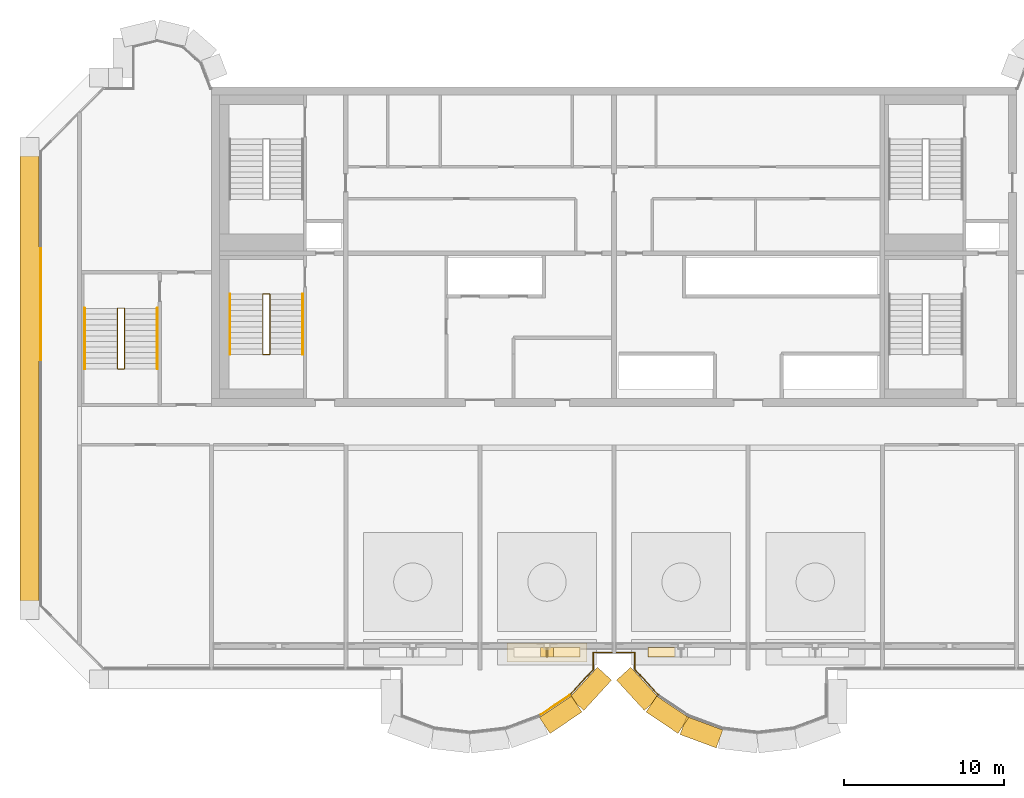
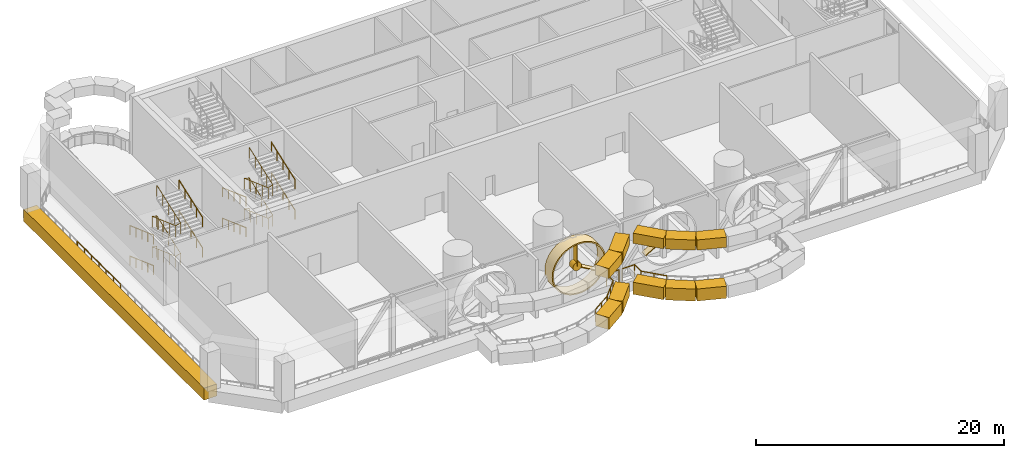
# One storey, part 9 of 15: 18 railings, 16 coverings.
"""IFC4 building model written with IfcOpenShell, lengths in metres."""

from ifc_helpers import new_model, si_unit, direction, frame, origin, origin_2d, place, context, subcontext, project, spatial, rectangle, circle, hollow_circle, extrude, source, transform, mapped, material, material_profile, profile_set, type_object, element, save


model = new_model("IFC4")

# Units and contexts
model_context = context("Model", 3, precision=1e-05, world=origin(), true_north=direction((0.0, 1.0)))
body_context = subcontext(model_context, "Body", "Model", "MODEL_VIEW")
ifc_project = project(units=[si_unit("LENGTHUNIT", "METRE"), si_unit("AREAUNIT", "SQUARE_METRE"), si_unit("VOLUMEUNIT", "CUBIC_METRE"), si_unit("PLANEANGLEUNIT", "RADIAN"), si_unit("MASSUNIT", "GRAM", prefix="KILO")], contexts=[model_context])

# Site, building, storey
site_placement = place(None, origin())
site = spatial("IfcSite", under=ifc_project, at=site_placement, CompositionType="ELEMENT")
building_placement = place(site_placement, origin())
building = spatial("IfcBuilding", under=site, at=building_placement, Name="Vanashikhar Sky Hotel", CompositionType="ELEMENT")
storey_placement = place(building_placement, frame((0.0, 0.0, 317.699951171875)))
storey = spatial("IfcBuildingStorey", under=building, at=storey_placement, Name="L76", CompositionType="ELEMENT", Elevation=317.699951171875)

# Coverings
ifc_material_1 = material(Name="Concrete M60 dark", Category="concrete")
covering_type_1 = type_object("IfcCoveringType", Name="Turbine slot portal frame", PredefinedType="CLADDING", material=ifc_material_1)
shared_shape_1 = source(origin(), body_context, "Body", "SweptSolid", [
    extrude(rectangle(XDim=2.413818359375, YDim=1.199951171875, at=origin_2d()), origin(), (0.0, 0.0, 1.0), 1.0),
])
for number, where, z_axis, x_axis, name in (
    (1, (47.06005859375, 2.694091796875, 4.719970703125), (0.0, 0.0, 1.0), (0.829603213612, 0.558353389857, 0.0), "Portal frame head"),
    (2, (53.739990234375, 2.694091796875, 4.719970703125), (0.0, 0.0, 1.0), (0.829603213612, -0.558353389857, 0.0), "Portal frame head"),
    (3, (55.872802734375, 1.6005859375, 4.719970703125), (0.0, 0.0, 1.0), (0.937531182424, -0.347901253208, 0.0), "Portal frame head"),
):
    element("IfcCovering", number, at=place(storey_placement, frame(where, z_axis=z_axis, x_axis=x_axis)), inside=storey, type_object=covering_type_1, Name=name, PredefinedType="CLADDING", context=body_context, shape_type="MappedRepresentation", body=[
        mapped(shared_shape_1, transform((0.0, 0.0, 0.0), scale=1.0)),
    ])
shared_shape_2 = source(origin(), body_context, "Body", "SweptSolid", [
    extrude(rectangle(XDim=2.413818359375, YDim=1.199951171875, at=origin_2d()), origin(), (0.0, 0.0, 1.0), 1.179931640625),
])
for number, where, z_axis, x_axis, name in (
    (4, (47.06005859375, 2.694091796875, -0.27978515625), (0.0, 0.0, 1.0), (0.829603213612, 0.558353389857, 0.0), "Portal frame sill"),
    (5, (53.739990234375, 2.694091796875, -0.27978515625), (0.0, 0.0, 1.0), (0.829603213612, -0.558353389857, 0.0), "Portal frame sill"),
    (6, (55.872802734375, 1.6005859375, -0.27978515625), (0.0, 0.0, 1.0), (0.937531182424, -0.347901253208, 0.0), "Portal frame sill"),
):
    element("IfcCovering", number, at=place(storey_placement, frame(where, z_axis=z_axis, x_axis=x_axis)), inside=storey, type_object=covering_type_1, Name=name, PredefinedType="CLADDING", context=body_context, shape_type="MappedRepresentation", body=[
        mapped(shared_shape_2, transform((0.0, 0.0, 0.0), scale=1.0)),
    ])
shared_shape_3 = source(origin(), body_context, "Body", "SweptSolid", [
    extrude(rectangle(XDim=2.574462890625, YDim=1.199951171875, at=origin_2d()), origin(), (0.0, 0.0, 1.0), 1.0),
])
for number, where, z_axis, x_axis, name in (
    (7, (48.9306640625, 4.3173828125, 4.719970703125), (0.0, 0.0, 1.0), (0.67534568005, 0.737501330465, 0.0), "Portal frame head"),
    (8, (51.869384765625, 4.3173828125, 4.719970703125), (0.0, 0.0, 1.0), (0.67534568005, -0.737501330465, 0.0), "Portal frame head"),
):
    element("IfcCovering", number, at=place(storey_placement, frame(where, z_axis=z_axis, x_axis=x_axis)), inside=storey, type_object=covering_type_1, Name=name, PredefinedType="CLADDING", context=body_context, shape_type="MappedRepresentation", body=[
        mapped(shared_shape_3, transform((0.0, 0.0, 0.0), scale=1.0)),
    ])
shared_shape_4 = source(origin(), body_context, "Body", "SweptSolid", [
    extrude(rectangle(XDim=2.574462890625, YDim=1.199951171875, at=origin_2d()), origin(), (0.0, 0.0, 1.0), 1.179931640625),
])
for number, where, z_axis, x_axis, name in (
    (9, (48.9306640625, 4.3173828125, -0.27978515625), (0.0, 0.0, 1.0), (0.67534568005, 0.737501330465, 0.0), "Portal frame sill"),
    (10, (51.869384765625, 4.3173828125, -0.27978515625), (0.0, 0.0, 1.0), (0.67534568005, -0.737501330465, 0.0), "Portal frame sill"),
):
    element("IfcCovering", number, at=place(storey_placement, frame(where, z_axis=z_axis, x_axis=x_axis)), inside=storey, type_object=covering_type_1, Name=name, PredefinedType="CLADDING", context=body_context, shape_type="MappedRepresentation", body=[
        mapped(shared_shape_4, transform((0.0, 0.0, 0.0), scale=1.0)),
    ])

# Railings
ifc_material_2 = material(Name="Stainless steel 316", Category="steel")
railing_type_1 = type_object("IfcRailingType", Name="Open edge guard 1200", PredefinedType="GUARDRAIL", material=ifc_material_2)
shared_shape_5 = source(origin(), body_context, "Body", "SweptSolid", [
    extrude(circle(Radius=0.02392578125, at=origin_2d()), frame((0.0, 0.0, 1.17578125), z_axis=(0.0, 1.0, 0.0), x_axis=(-1.0, 0.0, 0.0)), (0.0, 0.0, 1.0), 2.324462890625),
    extrude(circle(Radius=0.02099609375, at=origin_2d()), origin(), (0.0, 0.0, 1.0), 1.15185546875),
    extrude(circle(Radius=0.02099609375, at=origin_2d()), frame((0.0, 1.162109375, 0.0)), (0.0, 0.0, 1.0), 1.15185546875),
    extrude(circle(Radius=0.02099609375, at=origin_2d()), frame((0.0, 2.324462890625, 0.0)), (0.0, 0.0, 1.0), 1.15185546875),
])
for number, where, name in (
    (11, (14.5, 24.912109375, 0.0), "Open edge guard"),
    (12, (14.5, 27.236572265625, 0.0), "Open edge guard"),
    (13, (14.5, 29.56103515625, 0.0), "Open edge guard"),
):
    element("IfcRailing", number, at=place(storey_placement, frame(where)), inside=storey, type_object=railing_type_1, Name=name, PredefinedType="GUARDRAIL", context=body_context, shape_type="MappedRepresentation", body=[
        mapped(shared_shape_5, transform((0.0, 0.0, 0.0), scale=1.0)),
    ])

# Covering
shared_shape_6 = source(origin(), body_context, "Body", "SweptSolid", [
    extrude(rectangle(XDim=28.9970703125, YDim=1.199951171875, at=origin_2d()), origin(), (0.0, 0.0, 1.0), 1.179931640625),
])
covering_1_placement = place(storey_placement, frame((13.800048828125, 23.75, -0.27978515625), z_axis=(0.0, 0.0, 1.0), x_axis=(0.0, -1.0, 0.0)))
element("IfcCovering", 14, at=covering_1_placement, inside=storey, type_object=covering_type_1, Name="Portal frame sill", PredefinedType="CLADDING", context=body_context, shape_type="MappedRepresentation", body=[
    mapped(shared_shape_6, transform((0.0, 0.0, 0.0), scale=1.0)),
])

# Railings
shared_shape_7 = source(origin(), body_context, "Body", "SweptSolid", [
    extrude(circle(Radius=0.02392578125, at=origin_2d()), frame((0.0, 0.0, 1.17578125), z_axis=(-1.0, 0.0, 0.0), x_axis=(0.0, -1.0, 0.0)), (0.0, 0.0, 1.0), 1.15478515625),
    extrude(circle(Radius=0.02392578125, at=origin_2d()), frame((-1.15478515625, 0.0, 1.17578125), z_axis=(0.0, -1.0, 0.0), x_axis=(1.0, 0.0, 0.0)), (0.0, 0.0, 1.0), 1.04052734375),
    extrude(circle(Radius=0.02099609375, at=origin_2d()), origin(), (0.0, 0.0, 1.0), 1.15185546875),
    extrude(circle(Radius=0.02099609375, at=origin_2d()), frame((-1.15478515625, 0.0, 0.0)), (0.0, 0.0, 1.0), 1.15185546875),
    extrude(circle(Radius=0.02099609375, at=origin_2d()), frame((-1.15478515625, -1.04052734375, 0.0)), (0.0, 0.0, 1.0), 1.15185546875),
])
railing_1_placement = place(storey_placement, frame((50.2548828125, 6.60009765625, 0.0)))
element("IfcRailing", 15, at=railing_1_placement, inside=storey, type_object=railing_type_1, Name="Open edge guard", PredefinedType="GUARDRAIL", context=body_context, shape_type="MappedRepresentation", body=[
    mapped(shared_shape_7, transform((0.0, 0.0, 0.0), scale=1.0)),
])
shared_shape_8 = source(origin(), body_context, "Body", "SweptSolid", [
    extrude(circle(Radius=0.02392578125, at=origin_2d()), frame((0.0, 0.0, 1.17578125), z_axis=(0.0, -1.0, 0.0), x_axis=(1.0, 0.0, 0.0)), (0.0, 0.0, 1.0), 0.020751953125),
    extrude(circle(Radius=0.02392578125, at=origin_2d()), frame((0.0, -0.020751953125, 1.17578125), z_axis=(-0.675389088817, -0.737461577784, 0.0), x_axis=(0.737461577784, -0.675389088817, 0.0)), (0.0, 0.0, 1.0), 2.175048828125),
    extrude(circle(Radius=0.02099609375, at=origin_2d()), origin(), (0.0, 0.0, 1.0), 1.15185546875),
    extrude(circle(Radius=0.02099609375, at=origin_2d()), frame((0.0, -0.020751953125, 0.0)), (0.0, 0.0, 1.0), 1.15185546875),
    extrude(circle(Radius=0.02099609375, at=origin_2d()), frame((-0.734375, -0.82275390625, 0.0)), (0.0, 0.0, 1.0), 1.15185546875),
    extrude(circle(Radius=0.02099609375, at=origin_2d()), frame((-1.468994140625, -1.624755859375, 0.0)), (0.0, 0.0, 1.0), 1.15185546875),
])
railing_2_placement = place(storey_placement, frame((49.10009765625, 5.5595703125, 0.0)))
element("IfcRailing", 16, at=railing_2_placement, inside=storey, type_object=railing_type_1, Name="Open edge guard", PredefinedType="GUARDRAIL", context=body_context, shape_type="MappedRepresentation", body=[
    mapped(shared_shape_8, transform((0.0, 0.0, 0.0), scale=1.0)),
])
shared_shape_9 = source(origin(), body_context, "Body", "SweptSolid", [
    extrude(circle(Radius=0.02392578125, at=origin_2d()), frame((0.0, 0.0, 1.17578125), z_axis=(-0.675975492745, -0.736924102746, 0.0), x_axis=(0.736924102746, -0.675975492745, 0.0)), (0.0, 0.0, 1.0), 0.0439453125),
    extrude(circle(Radius=0.02392578125, at=origin_2d()), frame((-0.02978515625, -0.032470703125, 1.17578125), z_axis=(-0.829633234023, -0.558308782847, 0.0), x_axis=(0.558308782847, -0.829633234023, 0.0)), (0.0, 0.0, 1.0), 2.1513671875),
    extrude(circle(Radius=0.02099609375, at=origin_2d()), origin(), (0.0, 0.0, 1.0), 1.15185546875),
    extrude(circle(Radius=0.02099609375, at=origin_2d()), frame((-0.02978515625, -0.032470703125, 0.0)), (0.0, 0.0, 1.0), 1.15185546875),
    extrude(circle(Radius=0.02099609375, at=origin_2d()), frame((-0.92236328125, -0.633056640625, 0.0)), (0.0, 0.0, 1.0), 1.15185546875),
    extrude(circle(Radius=0.02099609375, at=origin_2d()), frame((-1.814697265625, -1.233642578125, 0.0)), (0.0, 0.0, 1.0), 1.15185546875),
])
railing_3_placement = place(storey_placement, frame((47.631103515625, 3.934814453125, 0.0)))
element("IfcRailing", 17, at=railing_3_placement, inside=storey, type_object=railing_type_1, Name="Open edge guard", PredefinedType="GUARDRAIL", context=body_context, shape_type="MappedRepresentation", body=[
    mapped(shared_shape_9, transform((0.0, 0.0, 0.0), scale=1.0)),
])
shared_shape_10 = source(origin(), body_context, "Body", "SweptSolid", [
    extrude(circle(Radius=0.02392578125, at=origin_2d()), frame((0.0, 0.0, 1.17578125), z_axis=(-0.675389088817, 0.737461577784, 0.0), x_axis=(-0.737461577784, -0.675389088817, 0.0)), (0.0, 0.0, 1.0), 2.175048828125),
    extrude(circle(Radius=0.02392578125, at=origin_2d()), frame((-1.468994140625, 1.60400390625, 1.17578125), z_axis=(0.0, 1.0, 0.0), x_axis=(-1.0, 0.0, 0.0)), (0.0, 0.0, 1.0), 0.020751953125),
    extrude(circle(Radius=0.02099609375, at=origin_2d()), origin(), (0.0, 0.0, 1.0), 1.15185546875),
    extrude(circle(Radius=0.02099609375, at=origin_2d()), frame((-0.734375, 0.802001953125, 0.0)), (0.0, 0.0, 1.0), 1.15185546875),
    extrude(circle(Radius=0.02099609375, at=origin_2d()), frame((-1.468994140625, 1.60400390625, 0.0)), (0.0, 0.0, 1.0), 1.15185546875),
    extrude(circle(Radius=0.02099609375, at=origin_2d()), frame((-1.468994140625, 1.624755859375, 0.0)), (0.0, 0.0, 1.0), 1.15185546875),
])
railing_4_placement = place(storey_placement, frame((53.1689453125, 3.934814453125, 0.0)))
element("IfcRailing", 18, at=railing_4_placement, inside=storey, type_object=railing_type_1, Name="Open edge guard", PredefinedType="GUARDRAIL", context=body_context, shape_type="MappedRepresentation", body=[
    mapped(shared_shape_10, transform((0.0, 0.0, 0.0), scale=1.0)),
])
shared_shape_11 = source(origin(), body_context, "Body", "SweptSolid", [
    extrude(circle(Radius=0.02392578125, at=origin_2d()), frame((0.0, 0.0, 1.17578125), z_axis=(0.0, 1.0, 0.0), x_axis=(-1.0, 0.0, 0.0)), (0.0, 0.0, 1.0), 1.04052734375),
    extrude(circle(Radius=0.02392578125, at=origin_2d()), frame((0.0, 1.04052734375, 1.17578125), z_axis=(-1.0, 0.0, 0.0), x_axis=(0.0, -1.0, 0.0)), (0.0, 0.0, 1.0), 1.155029296875),
    extrude(circle(Radius=0.02099609375, at=origin_2d()), origin(), (0.0, 0.0, 1.0), 1.15185546875),
    extrude(circle(Radius=0.02099609375, at=origin_2d()), frame((0.0, 1.04052734375, 0.0)), (0.0, 0.0, 1.0), 1.15185546875),
    extrude(circle(Radius=0.02099609375, at=origin_2d()), frame((-1.155029296875, 1.04052734375, 0.0)), (0.0, 0.0, 1.0), 1.15185546875),
])
railing_5_placement = place(storey_placement, frame((51.699951171875, 5.5595703125, 0.0)))
element("IfcRailing", 19, at=railing_5_placement, inside=storey, type_object=railing_type_1, Name="Open edge guard", PredefinedType="GUARDRAIL", context=body_context, shape_type="MappedRepresentation", body=[
    mapped(shared_shape_11, transform((0.0, 0.0, 0.0), scale=1.0)),
])

# Coverings
ifc_material_3 = material(Name="Aluminium 6063-T6", Category="aluminium")
ifc_material_profile_1 = material_profile(ifc_material_3, hollow_circle(Radius=2.5, WallThickness=0.1201171875, at=origin_2d()))
ifc_profile_set_1 = profile_set([ifc_material_profile_1], Name="Turbine shroud 5000")
covering_type_2 = type_object("IfcCoveringType", Name="Turbine shroud 5000", PredefinedType="CLADDING", material=ifc_profile_set_1)
shared_shape_12 = source(origin(), body_context, "Body", "SweptSolid", [
    extrude(hollow_circle(Radius=2.5, WallThickness=0.1201171875, at=origin_2d()), origin(), (0.0, 0.0, 1.0), 1.199951171875),
])
covering_2_placement = place(storey_placement, frame((46.199951171875, 6.0, 3.10009765625), z_axis=(0.0, 1.0, 0.0), x_axis=(-1.0, 0.0, 0.0)))
element("IfcCovering", 20, at=covering_2_placement, inside=storey, type_object=covering_type_2, Name="Turbine shroud 2", PredefinedType="CLADDING", context=body_context, shape_type="MappedRepresentation", body=[
    mapped(shared_shape_12, transform((0.0, 0.0, 0.0), scale=1.0)),
])
ifc_material_profile_2 = material_profile(ifc_material_3, circle(Radius=0.39990234375, at=origin_2d()))
ifc_profile_set_2 = profile_set([ifc_material_profile_2], Name="Turbine hub")
covering_type_3 = type_object("IfcCoveringType", Name="Turbine hub", PredefinedType="CLADDING", material=ifc_profile_set_2)
shared_shape_13 = source(origin(), body_context, "Body", "SweptSolid", [
    extrude(circle(Radius=0.39990234375, at=origin_2d()), origin(), (0.0, 0.0, 1.0), 0.599853515625),
])
covering_3_placement = place(storey_placement, frame((46.199951171875, 6.300048828125, 3.10009765625), z_axis=(0.0, 1.0, 0.0), x_axis=(-1.0, 0.0, 0.0)))
element("IfcCovering", 21, at=covering_3_placement, inside=storey, type_object=covering_type_3, Name="Turbine hub 2", PredefinedType="CLADDING", context=body_context, shape_type="MappedRepresentation", body=[
    mapped(shared_shape_13, transform((0.0, 0.0, 0.0), scale=1.0)),
])
ifc_material_profile_3 = material_profile(ifc_material_3, rectangle(XDim=0.60009765625, YDim=0.080078125, at=origin_2d()))
ifc_profile_set_3 = profile_set([ifc_material_profile_3], Name="Turbine rotor blade")
covering_type_4 = type_object("IfcCoveringType", Name="Turbine rotor blade", PredefinedType="CLADDING", material=ifc_profile_set_3)
shared_shape_14 = source(origin(), body_context, "Body", "SweptSolid", [
    extrude(rectangle(XDim=0.60009765625, YDim=0.080078125, at=origin_2d()), origin(), (0.0, 0.0, 1.0), 2.3798828125),
])
covering_4_placement = place(storey_placement, frame((46.199951171875, 6.60009765625, 3.10009765625), z_axis=(0.0, 0.0, 1.0), x_axis=(0.0, 1.0, 0.0)))
element("IfcCovering", 22, at=covering_4_placement, inside=storey, type_object=covering_type_4, Name="Turbine rotor blade 2.1", PredefinedType="CLADDING", context=body_context, shape_type="MappedRepresentation", body=[
    mapped(shared_shape_14, transform((0.0, 0.0, 0.0), scale=1.0)),
])
shared_shape_15 = source(origin(), body_context, "Body", "SweptSolid", [
    extrude(rectangle(XDim=0.60009765625, YDim=0.080078125, at=origin_2d()), origin(), (0.0, 0.0, 1.0), 2.3798828125),
])
covering_5_placement = place(storey_placement, frame((46.199951171875, 6.60009765625, 3.10009765625), z_axis=(0.866025002776, 0.0, -0.500000694566), x_axis=(0.0, 1.0, 0.0)))
element("IfcCovering", 23, at=covering_5_placement, inside=storey, type_object=covering_type_4, Name="Turbine rotor blade 2.3", PredefinedType="CLADDING", context=body_context, shape_type="MappedRepresentation", body=[
    mapped(shared_shape_15, transform((0.0, 0.0, 0.0), scale=1.0)),
])
shared_shape_16 = source(origin(), body_context, "Body", "SweptSolid", [
    extrude(rectangle(XDim=0.60009765625, YDim=0.080078125, at=origin_2d()), origin(), (0.0, 0.0, 1.0), 2.380126953125),
])
covering_6_placement = place(storey_placement, frame((54.60009765625, 6.60009765625, 3.10009765625), z_axis=(-0.866050645752, 0.0, -0.499956277081), x_axis=(0.0, -1.0, 0.0)))
element("IfcCovering", 24, at=covering_6_placement, inside=storey, type_object=covering_type_4, Name="Turbine rotor blade 3.2", PredefinedType="CLADDING", context=body_context, shape_type="MappedRepresentation", body=[
    mapped(shared_shape_16, transform((0.0, 0.0, 0.0), scale=1.0)),
])

# Railings
ifc_material_4 = material(Name="Steel S355", Category="steel")
railing_type_2 = type_object("IfcRailingType", Name="Stair handrail 900", PredefinedType="HANDRAIL", material=ifc_material_4)
shared_shape_17 = source(origin(), body_context, "Body", "SweptSolid", [
    extrude(circle(Radius=0.02392578125, at=origin_2d()), frame((0.0, 0.0, 0.8759765625), z_axis=(0.0, 0.940335516113, 0.340248610777), x_axis=(-1.0, 0.0, 0.0)), (0.0, 0.0, 1.0), 4.041259765625),
    extrude(circle(Radius=0.02099609375, at=origin_2d()), origin(), (0.0, 0.0, 1.0), 0.851806640625),
    extrude(circle(Radius=0.02099609375, at=origin_2d()), frame((0.0, 0.949951171875, 0.34375)), (0.0, 0.0, 1.0), 0.851806640625),
    extrude(circle(Radius=0.02099609375, at=origin_2d()), frame((0.0, 1.89990234375, 0.6875)), (0.0, 0.0, 1.0), 0.851806640625),
    extrude(circle(Radius=0.02099609375, at=origin_2d()), frame((0.0, 2.85009765625, 1.03125)), (0.0, 0.0, 1.0), 0.851806640625),
    extrude(circle(Radius=0.02099609375, at=origin_2d()), frame((0.0, 3.800048828125, 1.375)), (0.0, 0.0, 1.0), 0.851806640625),
])
for number, where, name in (
    (25, (30.89990234375, 25.25, 1.625), "Exit stair 1 handrail"),
    (26, (30.89990234375, 25.25, 4.625), "Exit stair 1 handrail"),
):
    element("IfcRailing", number, at=place(storey_placement, frame(where)), inside=storey, type_object=railing_type_2, Name=name, PredefinedType="HANDRAIL", context=body_context, shape_type="MappedRepresentation", body=[
        mapped(shared_shape_17, transform((0.0, 0.0, 0.0), scale=1.0)),
    ])
shared_shape_18 = source(origin(), body_context, "Body", "SweptSolid", [
    extrude(circle(Radius=0.02392578125, at=origin_2d()), frame((0.0, 0.0, 0.8759765625), z_axis=(0.0, -0.940335516113, 0.340248610777), x_axis=(1.0, 0.0, 0.0)), (0.0, 0.0, 1.0), 4.041259765625),
    extrude(circle(Radius=0.02099609375, at=origin_2d()), origin(), (0.0, 0.0, 1.0), 0.851806640625),
    extrude(circle(Radius=0.02099609375, at=origin_2d()), frame((0.0, -0.949951171875, 0.34375)), (0.0, 0.0, 1.0), 0.851806640625),
    extrude(circle(Radius=0.02099609375, at=origin_2d()), frame((0.0, -1.89990234375, 0.6875)), (0.0, 0.0, 1.0), 0.851806640625),
    extrude(circle(Radius=0.02099609375, at=origin_2d()), frame((0.0, -2.85009765625, 1.03125)), (0.0, 0.0, 1.0), 0.851806640625),
    extrude(circle(Radius=0.02099609375, at=origin_2d()), frame((0.0, -3.800048828125, 1.375)), (0.0, 0.0, 1.0), 0.851806640625),
])
for number, where, name in (
    (27, (26.35009765625, 29.050048828125, 0.125), "Exit stair 1 handrail"),
    (28, (26.35009765625, 29.050048828125, 3.125), "Exit stair 1 handrail"),
):
    element("IfcRailing", number, at=place(storey_placement, frame(where)), inside=storey, type_object=railing_type_2, Name=name, PredefinedType="HANDRAIL", context=body_context, shape_type="MappedRepresentation", body=[
        mapped(shared_shape_18, transform((0.0, 0.0, 0.0), scale=1.0)),
    ])
railing_type_3 = type_object("IfcRailingType", Name="Stair guard 1100", PredefinedType="GUARDRAIL", material=ifc_material_4)
shared_shape_19 = source(origin(), body_context, "Body", "SweptSolid", [
    extrude(circle(Radius=0.02392578125, at=origin_2d()), frame((0.0, 0.0, 1.076171875), z_axis=(-0.963547848091, 0.0, 0.267536061943), x_axis=(0.0, -1.0, 0.0)), (0.0, 0.0, 1.0), 0.46728515625),
    extrude(circle(Radius=0.02392578125, at=origin_2d()), frame((-0.4501953125, 0.0, 1.201171875), z_axis=(0.0, -0.940335516113, 0.340248610777), x_axis=(1.0, 0.0, 0.0)), (0.0, 0.0, 1.0), 4.041259765625),
    extrude(circle(Radius=0.02392578125, at=origin_2d()), frame((-0.4501953125, -3.800048828125, 2.576171875), z_axis=(0.963547848091, 0.0, 0.267536061943), x_axis=(0.0, 1.0, 0.0)), (0.0, 0.0, 1.0), 0.46728515625),
    extrude(circle(Radius=0.02392578125, at=origin_2d()), frame((0.0, -3.800048828125, 2.701171875), z_axis=(0.0, 0.940335516113, 0.340248610777), x_axis=(-1.0, 0.0, 0.0)), (0.0, 0.0, 1.0), 4.041259765625),
    extrude(circle(Radius=0.02392578125, at=origin_2d()), frame((0.0, 0.0, 4.076171875), z_axis=(-0.963547848091, 0.0, 0.267536061943), x_axis=(0.0, -1.0, 0.0)), (0.0, 0.0, 1.0), 0.46728515625),
    extrude(circle(Radius=0.02392578125, at=origin_2d()), frame((-0.4501953125, 0.0, 4.201171875), z_axis=(0.0, -0.940335516113, 0.340248610777), x_axis=(1.0, 0.0, 0.0)), (0.0, 0.0, 1.0), 4.041259765625),
    extrude(circle(Radius=0.02392578125, at=origin_2d()), frame((-0.4501953125, -3.800048828125, 5.576171875), z_axis=(0.963547848091, 0.0, 0.267536061943), x_axis=(0.0, 1.0, 0.0)), (0.0, 0.0, 1.0), 0.46728515625),
    extrude(circle(Radius=0.02392578125, at=origin_2d()), frame((0.0, -3.800048828125, 5.701171875), z_axis=(0.0, 0.940335516113, 0.340248610777), x_axis=(-1.0, 0.0, 0.0)), (0.0, 0.0, 1.0), 4.041259765625),
    extrude(circle(Radius=0.02099609375, at=origin_2d()), origin(), (0.0, 0.0, 1.0), 1.052001953125),
    extrude(circle(Radius=0.02099609375, at=origin_2d()), frame((-0.4501953125, 0.0, 0.125)), (0.0, 0.0, 1.0), 1.052001953125),
    extrude(circle(Radius=0.02099609375, at=origin_2d()), frame((-0.4501953125, -0.949951171875, 0.46875)), (0.0, 0.0, 1.0), 1.052001953125),
    extrude(circle(Radius=0.02099609375, at=origin_2d()), frame((-0.4501953125, -1.89990234375, 0.8125)), (0.0, 0.0, 1.0), 1.052001953125),
    extrude(circle(Radius=0.02099609375, at=origin_2d()), frame((-0.4501953125, -2.85009765625, 1.15625)), (0.0, 0.0, 1.0), 1.052001953125),
    extrude(circle(Radius=0.02099609375, at=origin_2d()), frame((-0.4501953125, -3.800048828125, 1.5)), (0.0, 0.0, 1.0), 1.052001953125),
    extrude(circle(Radius=0.02099609375, at=origin_2d()), frame((0.0, -3.800048828125, 1.625)), (0.0, 0.0, 1.0), 1.052001953125),
    extrude(circle(Radius=0.02099609375, at=origin_2d()), frame((0.0, -2.85009765625, 1.96875)), (0.0, 0.0, 1.0), 1.052001953125),
    extrude(circle(Radius=0.02099609375, at=origin_2d()), frame((0.0, -1.89990234375, 2.3125)), (0.0, 0.0, 1.0), 1.052001953125),
    extrude(circle(Radius=0.02099609375, at=origin_2d()), frame((0.0, -0.949951171875, 2.65625)), (0.0, 0.0, 1.0), 1.052001953125),
    extrude(circle(Radius=0.02099609375, at=origin_2d()), frame((0.0, 0.0, 3.0)), (0.0, 0.0, 1.0), 1.052001953125),
    extrude(circle(Radius=0.02099609375, at=origin_2d()), frame((-0.4501953125, 0.0, 3.125)), (0.0, 0.0, 1.0), 1.052001953125),
    extrude(circle(Radius=0.02099609375, at=origin_2d()), frame((-0.4501953125, -0.949951171875, 3.46875)), (0.0, 0.0, 1.0), 1.052001953125),
    extrude(circle(Radius=0.02099609375, at=origin_2d()), frame((-0.4501953125, -1.89990234375, 3.8125)), (0.0, 0.0, 1.0), 1.052001953125),
    extrude(circle(Radius=0.02099609375, at=origin_2d()), frame((-0.4501953125, -2.85009765625, 4.15625)), (0.0, 0.0, 1.0), 1.052001953125),
    extrude(circle(Radius=0.02099609375, at=origin_2d()), frame((-0.4501953125, -3.800048828125, 4.5)), (0.0, 0.0, 1.0), 1.052001953125),
    extrude(circle(Radius=0.02099609375, at=origin_2d()), frame((0.0, -3.800048828125, 4.625)), (0.0, 0.0, 1.0), 1.052001953125),
    extrude(circle(Radius=0.02099609375, at=origin_2d()), frame((0.0, -2.85009765625, 4.96875)), (0.0, 0.0, 1.0), 1.052001953125),
    extrude(circle(Radius=0.02099609375, at=origin_2d()), frame((0.0, -1.89990234375, 5.3125)), (0.0, 0.0, 1.0), 1.052001953125),
    extrude(circle(Radius=0.02099609375, at=origin_2d()), frame((0.0, -0.949951171875, 5.65625)), (0.0, 0.0, 1.0), 1.052001953125),
    extrude(circle(Radius=0.02099609375, at=origin_2d()), frame((0.0, 0.0, 6.0)), (0.0, 0.0, 1.0), 1.052001953125),
])
railing_6_placement = place(storey_placement, frame((28.85009765625, 29.050048828125, 0.0)))
element("IfcRailing", 29, at=railing_6_placement, inside=storey, type_object=railing_type_3, Name="Exit stair 1 guard", PredefinedType="GUARDRAIL", context=body_context, shape_type="MappedRepresentation", body=[
    mapped(shared_shape_19, transform((0.0, 0.0, 0.0), scale=1.0)),
])
shared_shape_20 = source(origin(), body_context, "Body", "SweptSolid", [
    extrude(circle(Radius=0.02392578125, at=origin_2d()), frame((0.0, 0.0, 0.8759765625), z_axis=(0.0, 0.940328521504, 0.340267940961), x_axis=(-1.0, 0.0, 0.0)), (0.0, 0.0, 1.0), 4.041015625),
    extrude(circle(Radius=0.02099609375, at=origin_2d()), origin(), (0.0, 0.0, 1.0), 0.851806640625),
    extrude(circle(Radius=0.02099609375, at=origin_2d()), frame((0.0, 0.949951171875, 0.34375)), (0.0, 0.0, 1.0), 0.851806640625),
    extrude(circle(Radius=0.02099609375, at=origin_2d()), frame((0.0, 1.89990234375, 0.6875)), (0.0, 0.0, 1.0), 0.851806640625),
    extrude(circle(Radius=0.02099609375, at=origin_2d()), frame((0.0, 2.849853515625, 1.03125)), (0.0, 0.0, 1.0), 0.851806640625),
    extrude(circle(Radius=0.02099609375, at=origin_2d()), frame((0.0, 3.7998046875, 1.375)), (0.0, 0.0, 1.0), 0.851806640625),
])
for number, where, name in (
    (30, (21.800048828125, 24.35009765625, 1.625), "Exit stair 3 handrail"),
    (31, (21.800048828125, 24.35009765625, 4.625), "Exit stair 3 handrail"),
):
    element("IfcRailing", number, at=place(storey_placement, frame(where)), inside=storey, type_object=railing_type_2, Name=name, PredefinedType="HANDRAIL", context=body_context, shape_type="MappedRepresentation", body=[
        mapped(shared_shape_20, transform((0.0, 0.0, 0.0), scale=1.0)),
    ])
shared_shape_21 = source(origin(), body_context, "Body", "SweptSolid", [
    extrude(circle(Radius=0.02392578125, at=origin_2d()), frame((0.0, 0.0, 0.8759765625), z_axis=(0.0, -0.940328521504, 0.340267940961), x_axis=(1.0, 0.0, 0.0)), (0.0, 0.0, 1.0), 4.041015625),
    extrude(circle(Radius=0.02099609375, at=origin_2d()), origin(), (0.0, 0.0, 1.0), 0.851806640625),
    extrude(circle(Radius=0.02099609375, at=origin_2d()), frame((0.0, -0.949951171875, 0.34375)), (0.0, 0.0, 1.0), 0.851806640625),
    extrude(circle(Radius=0.02099609375, at=origin_2d()), frame((0.0, -1.89990234375, 0.6875)), (0.0, 0.0, 1.0), 0.851806640625),
    extrude(circle(Radius=0.02099609375, at=origin_2d()), frame((0.0, -2.849853515625, 1.03125)), (0.0, 0.0, 1.0), 0.851806640625),
    extrude(circle(Radius=0.02099609375, at=origin_2d()), frame((0.0, -3.7998046875, 1.375)), (0.0, 0.0, 1.0), 0.851806640625),
])
for number, where, name in (
    (32, (17.25, 28.14990234375, 0.125), "Exit stair 3 handrail"),
    (33, (17.25, 28.14990234375, 3.125), "Exit stair 3 handrail"),
):
    element("IfcRailing", number, at=place(storey_placement, frame(where)), inside=storey, type_object=railing_type_2, Name=name, PredefinedType="HANDRAIL", context=body_context, shape_type="MappedRepresentation", body=[
        mapped(shared_shape_21, transform((0.0, 0.0, 0.0), scale=1.0)),
    ])
shared_shape_22 = source(origin(), body_context, "Body", "SweptSolid", [
    extrude(circle(Radius=0.02392578125, at=origin_2d()), frame((0.0, 0.0, 1.076171875), z_axis=(-0.963510419359, 0.0, 0.267670827299), x_axis=(0.0, -1.0, 0.0)), (0.0, 0.0, 1.0), 0.467041015625),
    extrude(circle(Radius=0.02392578125, at=origin_2d()), frame((-0.449951171875, 0.0, 1.201171875), z_axis=(0.0, -0.940328521504, 0.340267940961), x_axis=(1.0, 0.0, 0.0)), (0.0, 0.0, 1.0), 4.041015625),
    extrude(circle(Radius=0.02392578125, at=origin_2d()), frame((-0.449951171875, -3.7998046875, 2.576171875), z_axis=(0.963510419359, 0.0, 0.267670827299), x_axis=(0.0, 1.0, 0.0)), (0.0, 0.0, 1.0), 0.467041015625),
    extrude(circle(Radius=0.02392578125, at=origin_2d()), frame((0.0, -3.7998046875, 2.701171875), z_axis=(0.0, 0.940328521504, 0.340267940961), x_axis=(-1.0, 0.0, 0.0)), (0.0, 0.0, 1.0), 4.041015625),
    extrude(circle(Radius=0.02392578125, at=origin_2d()), frame((0.0, 0.0, 4.076171875), z_axis=(-0.963510419359, 0.0, 0.267670827299), x_axis=(0.0, -1.0, 0.0)), (0.0, 0.0, 1.0), 0.467041015625),
    extrude(circle(Radius=0.02392578125, at=origin_2d()), frame((-0.449951171875, 0.0, 4.201171875), z_axis=(0.0, -0.940328521504, 0.340267940961), x_axis=(1.0, 0.0, 0.0)), (0.0, 0.0, 1.0), 4.041015625),
    extrude(circle(Radius=0.02392578125, at=origin_2d()), frame((-0.449951171875, -3.7998046875, 5.576171875), z_axis=(0.963510419359, 0.0, 0.267670827299), x_axis=(0.0, 1.0, 0.0)), (0.0, 0.0, 1.0), 0.467041015625),
    extrude(circle(Radius=0.02392578125, at=origin_2d()), frame((0.0, -3.7998046875, 5.701171875), z_axis=(0.0, 0.940328521504, 0.340267940961), x_axis=(-1.0, 0.0, 0.0)), (0.0, 0.0, 1.0), 4.041015625),
    extrude(circle(Radius=0.02099609375, at=origin_2d()), origin(), (0.0, 0.0, 1.0), 1.052001953125),
    extrude(circle(Radius=0.02099609375, at=origin_2d()), frame((-0.449951171875, 0.0, 0.125)), (0.0, 0.0, 1.0), 1.052001953125),
    extrude(circle(Radius=0.02099609375, at=origin_2d()), frame((-0.449951171875, -0.949951171875, 0.46875)), (0.0, 0.0, 1.0), 1.052001953125),
    extrude(circle(Radius=0.02099609375, at=origin_2d()), frame((-0.449951171875, -1.89990234375, 0.8125)), (0.0, 0.0, 1.0), 1.052001953125),
    extrude(circle(Radius=0.02099609375, at=origin_2d()), frame((-0.449951171875, -2.849853515625, 1.15625)), (0.0, 0.0, 1.0), 1.052001953125),
    extrude(circle(Radius=0.02099609375, at=origin_2d()), frame((-0.449951171875, -3.7998046875, 1.5)), (0.0, 0.0, 1.0), 1.052001953125),
    extrude(circle(Radius=0.02099609375, at=origin_2d()), frame((0.0, -3.7998046875, 1.625)), (0.0, 0.0, 1.0), 1.052001953125),
    extrude(circle(Radius=0.02099609375, at=origin_2d()), frame((0.0, -2.849853515625, 1.96875)), (0.0, 0.0, 1.0), 1.052001953125),
    extrude(circle(Radius=0.02099609375, at=origin_2d()), frame((0.0, -1.89990234375, 2.3125)), (0.0, 0.0, 1.0), 1.052001953125),
    extrude(circle(Radius=0.02099609375, at=origin_2d()), frame((0.0, -0.949951171875, 2.65625)), (0.0, 0.0, 1.0), 1.052001953125),
    extrude(circle(Radius=0.02099609375, at=origin_2d()), frame((0.0, 0.0, 3.0)), (0.0, 0.0, 1.0), 1.052001953125),
    extrude(circle(Radius=0.02099609375, at=origin_2d()), frame((-0.449951171875, 0.0, 3.125)), (0.0, 0.0, 1.0), 1.052001953125),
    extrude(circle(Radius=0.02099609375, at=origin_2d()), frame((-0.449951171875, -0.949951171875, 3.46875)), (0.0, 0.0, 1.0), 1.052001953125),
    extrude(circle(Radius=0.02099609375, at=origin_2d()), frame((-0.449951171875, -1.89990234375, 3.8125)), (0.0, 0.0, 1.0), 1.052001953125),
    extrude(circle(Radius=0.02099609375, at=origin_2d()), frame((-0.449951171875, -2.849853515625, 4.15625)), (0.0, 0.0, 1.0), 1.052001953125),
    extrude(circle(Radius=0.02099609375, at=origin_2d()), frame((-0.449951171875, -3.7998046875, 4.5)), (0.0, 0.0, 1.0), 1.052001953125),
    extrude(circle(Radius=0.02099609375, at=origin_2d()), frame((0.0, -3.7998046875, 4.625)), (0.0, 0.0, 1.0), 1.052001953125),
    extrude(circle(Radius=0.02099609375, at=origin_2d()), frame((0.0, -2.849853515625, 4.96875)), (0.0, 0.0, 1.0), 1.052001953125),
    extrude(circle(Radius=0.02099609375, at=origin_2d()), frame((0.0, -1.89990234375, 5.3125)), (0.0, 0.0, 1.0), 1.052001953125),
    extrude(circle(Radius=0.02099609375, at=origin_2d()), frame((0.0, -0.949951171875, 5.65625)), (0.0, 0.0, 1.0), 1.052001953125),
    extrude(circle(Radius=0.02099609375, at=origin_2d()), frame((0.0, 0.0, 6.0)), (0.0, 0.0, 1.0), 1.052001953125),
])
railing_7_placement = place(storey_placement, frame((19.75, 28.14990234375, 0.0)))
element("IfcRailing", 34, at=railing_7_placement, inside=storey, type_object=railing_type_3, Name="Exit stair 3 guard", PredefinedType="GUARDRAIL", context=body_context, shape_type="MappedRepresentation", body=[
    mapped(shared_shape_22, transform((0.0, 0.0, 0.0), scale=1.0)),
])

save(model, "model.ifc")
